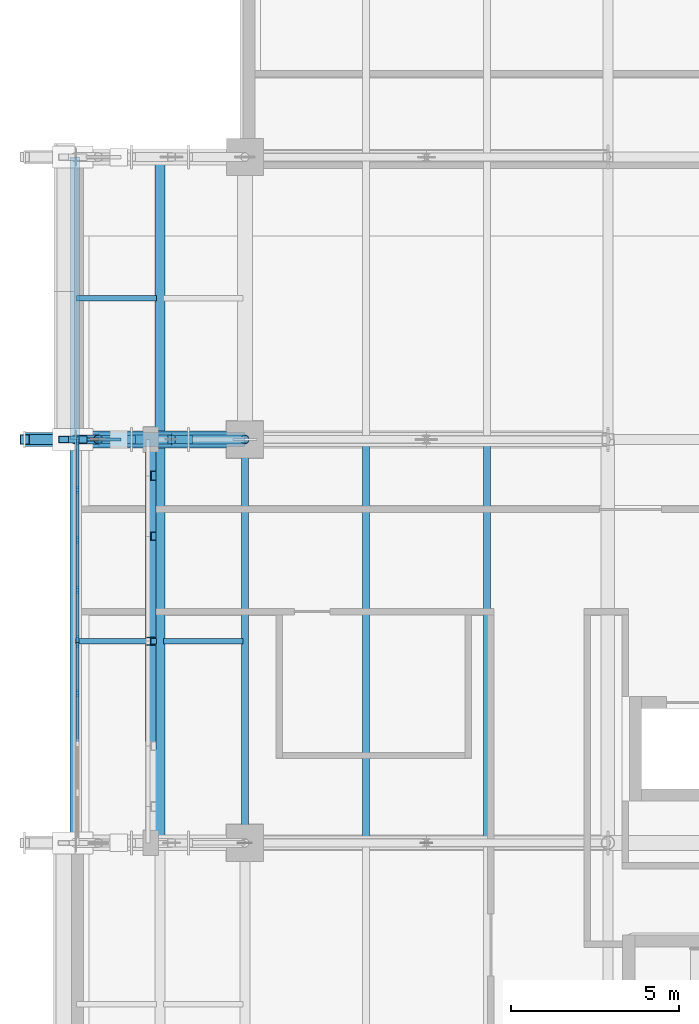
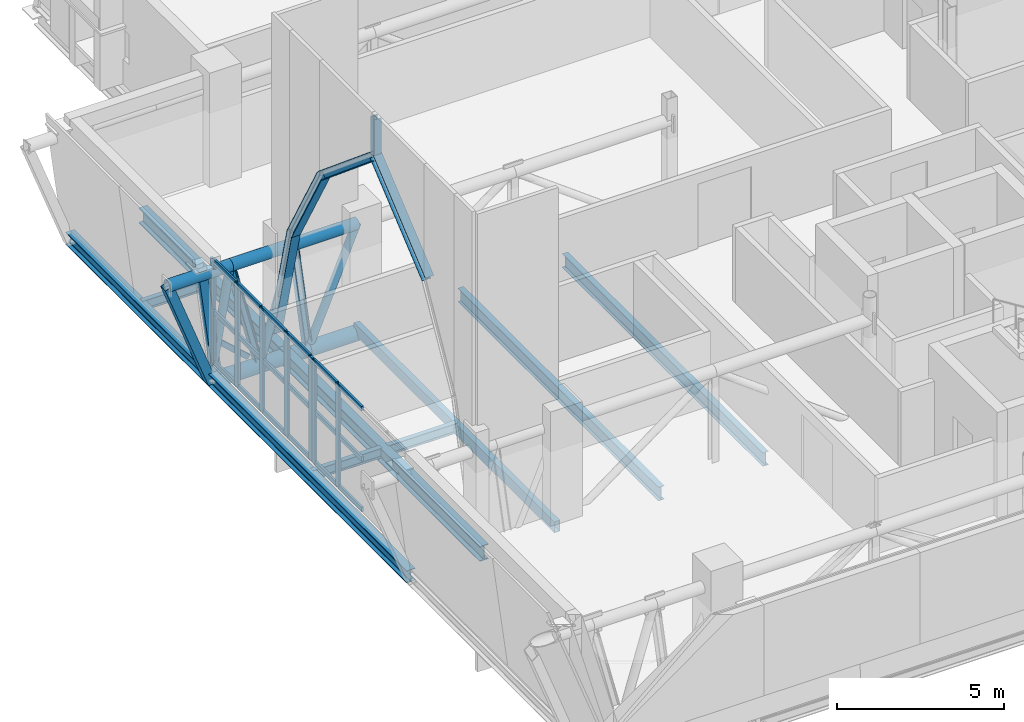
# One storey, part 21 of 90: 44 members, 10 beams, 2 elements without a shape of their own.
"""IFC4 building model written with IfcOpenShell, lengths in metres."""

from ifc_helpers import new_model, si_unit, direction, frame, origin, origin_2d, place, context, subcontext, project, spatial, rectangle, hollow_rectangle, hollow_circle, i_section, extrude, material, layer, layer_set, material_profile, profile_set, type_object, element, aggregate, save


model = new_model("IFC4")

# Units and contexts
model_context = context("Model", 3, precision=1e-05, world=origin(), true_north=direction((0.0, 1.0)))
body_context = subcontext(model_context, "Body", "Model", "MODEL_VIEW")
ifc_project = project(units=[si_unit("LENGTHUNIT", "METRE"), si_unit("AREAUNIT", "SQUARE_METRE"), si_unit("VOLUMEUNIT", "CUBIC_METRE"), si_unit("PLANEANGLEUNIT", "RADIAN"), si_unit("MASSUNIT", "GRAM", prefix="KILO")], contexts=[model_context])

# Site, building, storey
site_placement = place(None, origin())
site = spatial("IfcSite", under=ifc_project, at=site_placement, CompositionType="ELEMENT")
building_placement = place(site_placement, origin())
building = spatial("IfcBuilding", under=site, at=building_placement, Name="Zereglee Splitstone Museum", CompositionType="ELEMENT")
storey_placement = place(building_placement, frame((0.0, 0.0, 4.800048828125)))
storey = spatial("IfcBuildingStorey", under=building, at=storey_placement, Name="L01", CompositionType="ELEMENT", Elevation=4.800048828125)

# Members
ifc_material_1 = material(Name="Steel S355J2H", Category="steel")
ifc_material_profile_1 = material_profile(ifc_material_1, hollow_circle(Radius=0.136474609375, WallThickness=0.012451171875, at=origin_2d()), Name="CHS 273.0x12.5")
ifc_profile_set_1 = profile_set([ifc_material_profile_1], Name="Steel S355J2H")
member_type_1 = type_object("IfcMemberType", Name="TB-01", PredefinedType="BRACE", material=ifc_profile_set_1)
member_1_placement = place(storey_placement, frame((4.550048828125, 21.60009765625, -0.699951171875), z_axis=(0.168397696693, 0.0, 0.985719136341), x_axis=(0.0, 1.0, 0.0)))
element("IfcMember", 1, at=member_1_placement, inside=storey, type_object=member_type_1, Name="Cantilever Truss CT-03 Web Brace L01-1", PredefinedType="BRACE", context=body_context, shape_type="SweptSolid", body=[
    extrude(hollow_circle(Radius=0.136474609375, WallThickness=0.012451171875, at=origin_2d()), origin(), (0.0, 0.0, 1.0), 4.057861328125),
])
member_2_placement = place(storey_placement, frame((6.2333984375, 21.60009765625, -0.699951171875), z_axis=(0.283683776864, 0.0, 0.958917887383), x_axis=(0.0, 1.0, 0.0)))
element("IfcMember", 2, at=member_2_placement, inside=storey, type_object=member_type_1, Name="Cantilever Truss CT-03 Web Brace L01-2", PredefinedType="BRACE", context=body_context, shape_type="SweptSolid", body=[
    extrude(hollow_circle(Radius=0.136474609375, WallThickness=0.012451171875, at=origin_2d()), origin(), (0.0, 0.0, 1.0), 4.17138671875),
])
member_3_placement = place(storey_placement, frame((7.916748046875, 21.60009765625, -0.699951171875), z_axis=(0.387888488843, 0.0, 0.921706309094), x_axis=(0.0, 1.0, 0.0)))
element("IfcMember", 3, at=member_3_placement, inside=storey, type_object=member_type_1, Name="Cantilever Truss CT-03 Web Brace L01-3", PredefinedType="BRACE", context=body_context, shape_type="SweptSolid", body=[
    extrude(hollow_circle(Radius=0.136474609375, WallThickness=0.012451171875, at=origin_2d()), origin(), (0.0, 0.0, 1.0), 4.33984375),
])

# Curtain wall, members
ifc_material_2 = material(Name="Triple-glazed low-E argon glass and bronze-anodised aluminium", Category="aluminium")
ifc_layer_1 = layer(ifc_material_2, 0.219970703125)
ifc_layer_set_1 = layer_set([ifc_layer_1], Name="Triple-glazed low-E argon glass and bronze-anodised aluminium")
curtain_wall_type_1 = type_object("IfcCurtainWallType", Name="CW-0596-378", PredefinedType="USERDEFINED", material=ifc_layer_set_1)
curtain_wall_1_placement = place(storey_placement, origin())
curtain_wall_1 = element("IfcCurtainWall", 4, at=curtain_wall_1_placement, inside=storey, type_object=curtain_wall_type_1, Name="Glazed Curtain Wall CW-0596-378 (L01)", ObjectType="GLAZED CURTAIN WALL", PredefinedType="USERDEFINED")
ifc_material_3 = material(Name="Thermally broken bronze-anodised aluminium", Category="aluminium")
ifc_material_profile_2 = material_profile(ifc_material_3, rectangle(XDim=0.074951171875, YDim=0.219970703125, at=origin_2d()), Name="CW MULL 75x220")
ifc_profile_set_2 = profile_set([ifc_material_profile_2], Name="Thermally broken bronze-anodised aluminium")
member_type_2 = type_object("IfcMemberType", Name="CWM-02", PredefinedType="MULLION", material=ifc_profile_set_2)
member_4_placement = place(storey_placement, frame((4.6201171875, 21.5625, 0.0), z_axis=(0.0, 0.0, 1.0), x_axis=(1.0, 0.0, 0.0)))
member_4 = element("IfcMember", 5, at=member_4_placement, type_object=member_type_2, Name="CW-0596-378 mullion 1", PredefinedType="MULLION", context=body_context, shape_type="SweptSolid", body=[
    extrude(rectangle(XDim=0.074951171875, YDim=0.219970703125, at=origin_2d()), origin(), (0.0, 0.0, 1.0), 3.780029296875),
])
member_5_placement = place(storey_placement, frame((4.6201171875, 20.110107421875, 0.0), z_axis=(0.0, 0.0, 1.0), x_axis=(1.0, 0.0, 0.0)))
member_5 = element("IfcMember", 6, at=member_5_placement, type_object=member_type_2, Name="CW-0596-378 mullion 2", PredefinedType="MULLION", context=body_context, shape_type="SweptSolid", body=[
    extrude(rectangle(XDim=0.074951171875, YDim=0.219970703125, at=origin_2d()), origin(), (0.0, 0.0, 1.0), 3.780029296875),
])
member_6_placement = place(storey_placement, frame((4.6201171875, 18.6201171875, 0.0), z_axis=(0.0, 0.0, 1.0), x_axis=(1.0, 0.0, 0.0)))
member_6 = element("IfcMember", 7, at=member_6_placement, type_object=member_type_2, Name="CW-0596-378 mullion 3", PredefinedType="MULLION", context=body_context, shape_type="SweptSolid", body=[
    extrude(rectangle(XDim=0.074951171875, YDim=0.219970703125, at=origin_2d()), origin(), (0.0, 0.0, 1.0), 3.780029296875),
])
member_7_placement = place(storey_placement, frame((4.6201171875, 17.1298828125, 0.0), z_axis=(0.0, 0.0, 1.0), x_axis=(1.0, 0.0, 0.0)))
member_7 = element("IfcMember", 8, at=member_7_placement, type_object=member_type_2, Name="CW-0596-378 mullion 4", PredefinedType="MULLION", context=body_context, shape_type="SweptSolid", body=[
    extrude(rectangle(XDim=0.074951171875, YDim=0.219970703125, at=origin_2d()), origin(), (0.0, 0.0, 1.0), 3.780029296875),
])
member_8_placement = place(storey_placement, frame((4.6201171875, 15.677490234375, 0.0), z_axis=(0.0, 0.0, 1.0), x_axis=(1.0, 0.0, 0.0)))
member_8 = element("IfcMember", 9, at=member_8_placement, type_object=member_type_2, Name="CW-0596-378 mullion 5", PredefinedType="MULLION", context=body_context, shape_type="SweptSolid", body=[
    extrude(rectangle(XDim=0.074951171875, YDim=0.219970703125, at=origin_2d()), origin(), (0.0, 0.0, 1.0), 3.780029296875),
])

ifc_layer_2 = layer(ifc_material_2, 0.219970703125)
ifc_layer_set_2 = layer_set([ifc_layer_2], Name="Triple-glazed low-E argon glass and bronze-anodised aluminium")
curtain_wall_type_2 = type_object("IfcCurtainWallType", Name="CW-0596-376", PredefinedType="USERDEFINED", material=ifc_layer_set_2)
curtain_wall_2_placement = place(storey_placement, origin())
curtain_wall_2 = element("IfcCurtainWall", 10, at=curtain_wall_2_placement, inside=storey, type_object=curtain_wall_type_2, Name="Glazed Curtain Wall CW-0596-376 (L01)", ObjectType="GLAZED CURTAIN WALL", PredefinedType="USERDEFINED")
member_9_placement = place(storey_placement, frame((4.6201171875, 15.5224609375, 0.0), z_axis=(0.0, 0.0, 1.0), x_axis=(1.0, 0.0, 0.0)))
member_9 = element("IfcMember", 11, at=member_9_placement, type_object=member_type_2, Name="CW-0596-376 mullion 1", PredefinedType="MULLION", context=body_context, shape_type="SweptSolid", body=[
    extrude(rectangle(XDim=0.074951171875, YDim=0.219970703125, at=origin_2d()), origin(), (0.0, 0.0, 1.0), 3.760009765625),
])
member_10_placement = place(storey_placement, frame((4.6201171875, 14.070068359375, 0.0), z_axis=(0.0, 0.0, 1.0), x_axis=(1.0, 0.0, 0.0)))
member_10 = element("IfcMember", 12, at=member_10_placement, type_object=member_type_2, Name="CW-0596-376 mullion 2", PredefinedType="MULLION", context=body_context, shape_type="SweptSolid", body=[
    extrude(rectangle(XDim=0.074951171875, YDim=0.219970703125, at=origin_2d()), origin(), (0.0, 0.0, 1.0), 3.760009765625),
])

# Member
ifc_material_profile_3 = material_profile(ifc_material_3, rectangle(XDim=0.074951171875, YDim=0.1650390625, at=origin_2d()), Name="CW TRAN 75x165")
ifc_profile_set_3 = profile_set([ifc_material_profile_3], Name="Thermally broken bronze-anodised aluminium")
member_type_3 = type_object("IfcMemberType", Name="CWT-02", PredefinedType="USERDEFINED", material=ifc_profile_set_3)
member_11_placement = place(storey_placement, frame((4.6201171875, 21.52490234375, 0.037353515625), z_axis=(0.0, -1.0, 0.0), x_axis=(1.0, 0.0, 0.0)))
member_11 = element("IfcMember", 13, at=member_11_placement, type_object=member_type_3, Name="CW-0596-378 transom 1.1", ObjectType="TRANSOM", PredefinedType="USERDEFINED", context=body_context, shape_type="SweptSolid", body=[
    extrude(rectangle(XDim=0.074951171875, YDim=0.1650390625, at=origin_2d()), origin(), (0.0, 0.0, 1.0), 1.37744140625),
])

member_12_placement = place(storey_placement, frame((4.6201171875, 21.52490234375, 1.889892578125), z_axis=(0.0, -1.0, 0.0), x_axis=(1.0, 0.0, 0.0)))
member_12 = element("IfcMember", 14, at=member_12_placement, type_object=member_type_3, Name="CW-0596-378 transom 1.2", ObjectType="TRANSOM", PredefinedType="USERDEFINED", context=body_context, shape_type="SweptSolid", body=[
    extrude(rectangle(XDim=0.074951171875, YDim=0.1650390625, at=origin_2d()), origin(), (0.0, 0.0, 1.0), 1.37744140625),
])

member_13_placement = place(storey_placement, frame((4.6201171875, 21.52490234375, 3.742431640625), z_axis=(0.0, -1.0, 0.0), x_axis=(1.0, 0.0, 0.0)))
member_13 = element("IfcMember", 15, at=member_13_placement, type_object=member_type_3, Name="CW-0596-378 transom 1.3", ObjectType="TRANSOM", PredefinedType="USERDEFINED", context=body_context, shape_type="SweptSolid", body=[
    extrude(rectangle(XDim=0.074951171875, YDim=0.1650390625, at=origin_2d()), origin(), (0.0, 0.0, 1.0), 1.37744140625),
])

member_14_placement = place(storey_placement, frame((4.6201171875, 20.072509765625, 0.037353515625), z_axis=(0.0, -1.0, 0.0), x_axis=(1.0, 0.0, 0.0)))
member_14 = element("IfcMember", 16, at=member_14_placement, type_object=member_type_3, Name="CW-0596-378 transom 2.1", ObjectType="TRANSOM", PredefinedType="USERDEFINED", context=body_context, shape_type="SweptSolid", body=[
    extrude(rectangle(XDim=0.074951171875, YDim=0.1650390625, at=origin_2d()), origin(), (0.0, 0.0, 1.0), 1.4150390625),
])

member_15_placement = place(storey_placement, frame((4.6201171875, 20.072509765625, 1.889892578125), z_axis=(0.0, -1.0, 0.0), x_axis=(1.0, 0.0, 0.0)))
member_15 = element("IfcMember", 17, at=member_15_placement, type_object=member_type_3, Name="CW-0596-378 transom 2.2", ObjectType="TRANSOM", PredefinedType="USERDEFINED", context=body_context, shape_type="SweptSolid", body=[
    extrude(rectangle(XDim=0.074951171875, YDim=0.1650390625, at=origin_2d()), origin(), (0.0, 0.0, 1.0), 1.4150390625),
])

member_16_placement = place(storey_placement, frame((4.6201171875, 20.072509765625, 3.742431640625), z_axis=(0.0, -1.0, 0.0), x_axis=(1.0, 0.0, 0.0)))
member_16 = element("IfcMember", 18, at=member_16_placement, type_object=member_type_3, Name="CW-0596-378 transom 2.3", ObjectType="TRANSOM", PredefinedType="USERDEFINED", context=body_context, shape_type="SweptSolid", body=[
    extrude(rectangle(XDim=0.074951171875, YDim=0.1650390625, at=origin_2d()), origin(), (0.0, 0.0, 1.0), 1.4150390625),
])

member_17_placement = place(storey_placement, frame((4.6201171875, 18.58251953125, 0.037353515625), z_axis=(0.0, -1.0, 0.0), x_axis=(1.0, 0.0, 0.0)))
member_17 = element("IfcMember", 19, at=member_17_placement, type_object=member_type_3, Name="CW-0596-378 transom 3.1", ObjectType="TRANSOM", PredefinedType="USERDEFINED", context=body_context, shape_type="SweptSolid", body=[
    extrude(rectangle(XDim=0.074951171875, YDim=0.1650390625, at=origin_2d()), origin(), (0.0, 0.0, 1.0), 1.4150390625),
])

member_18_placement = place(storey_placement, frame((4.6201171875, 18.58251953125, 1.889892578125), z_axis=(0.0, -1.0, 0.0), x_axis=(1.0, 0.0, 0.0)))
member_18 = element("IfcMember", 20, at=member_18_placement, type_object=member_type_3, Name="CW-0596-378 transom 3.2", ObjectType="TRANSOM", PredefinedType="USERDEFINED", context=body_context, shape_type="SweptSolid", body=[
    extrude(rectangle(XDim=0.074951171875, YDim=0.1650390625, at=origin_2d()), origin(), (0.0, 0.0, 1.0), 1.4150390625),
])

member_19_placement = place(storey_placement, frame((4.6201171875, 18.58251953125, 3.742431640625), z_axis=(0.0, -1.0, 0.0), x_axis=(1.0, 0.0, 0.0)))
member_19 = element("IfcMember", 21, at=member_19_placement, type_object=member_type_3, Name="CW-0596-378 transom 3.3", ObjectType="TRANSOM", PredefinedType="USERDEFINED", context=body_context, shape_type="SweptSolid", body=[
    extrude(rectangle(XDim=0.074951171875, YDim=0.1650390625, at=origin_2d()), origin(), (0.0, 0.0, 1.0), 1.4150390625),
])

member_20_placement = place(storey_placement, frame((4.6201171875, 17.092529296875, 0.037353515625), z_axis=(0.0, -1.0, 0.0), x_axis=(1.0, 0.0, 0.0)))
member_20 = element("IfcMember", 22, at=member_20_placement, type_object=member_type_3, Name="CW-0596-378 transom 4.1", ObjectType="TRANSOM", PredefinedType="USERDEFINED", context=body_context, shape_type="SweptSolid", body=[
    extrude(rectangle(XDim=0.074951171875, YDim=0.1650390625, at=origin_2d()), origin(), (0.0, 0.0, 1.0), 1.37744140625),
])

member_21_placement = place(storey_placement, frame((4.6201171875, 17.092529296875, 1.889892578125), z_axis=(0.0, -1.0, 0.0), x_axis=(1.0, 0.0, 0.0)))
member_21 = element("IfcMember", 23, at=member_21_placement, type_object=member_type_3, Name="CW-0596-378 transom 4.2", ObjectType="TRANSOM", PredefinedType="USERDEFINED", context=body_context, shape_type="SweptSolid", body=[
    extrude(rectangle(XDim=0.074951171875, YDim=0.1650390625, at=origin_2d()), origin(), (0.0, 0.0, 1.0), 1.37744140625),
])

member_22_placement = place(storey_placement, frame((4.6201171875, 17.092529296875, 3.742431640625), z_axis=(0.0, -1.0, 0.0), x_axis=(1.0, 0.0, 0.0)))
member_22 = element("IfcMember", 24, at=member_22_placement, type_object=member_type_3, Name="CW-0596-378 transom 4.3", ObjectType="TRANSOM", PredefinedType="USERDEFINED", context=body_context, shape_type="SweptSolid", body=[
    extrude(rectangle(XDim=0.074951171875, YDim=0.1650390625, at=origin_2d()), origin(), (0.0, 0.0, 1.0), 1.37744140625),
])

aggregate(curtain_wall_1, [member_4, member_5, member_6, member_7, member_8, member_11, member_12, member_13, member_14, member_15, member_16, member_17, member_18, member_19, member_20, member_21, member_22])

member_23_placement = place(storey_placement, frame((4.6201171875, 15.485107421875, 0.037353515625), z_axis=(0.0, -1.0, 0.0), x_axis=(1.0, 0.0, 0.0)))
member_23 = element("IfcMember", 25, at=member_23_placement, type_object=member_type_3, Name="CW-0596-376 transom 1.1", ObjectType="TRANSOM", PredefinedType="USERDEFINED", context=body_context, shape_type="SweptSolid", body=[
    extrude(rectangle(XDim=0.074951171875, YDim=0.1650390625, at=origin_2d()), origin(), (0.0, 0.0, 1.0), 1.377685546875),
])

member_24_placement = place(storey_placement, frame((4.6201171875, 15.485107421875, 1.8798828125), z_axis=(0.0, -1.0, 0.0), x_axis=(1.0, 0.0, 0.0)))
member_24 = element("IfcMember", 26, at=member_24_placement, type_object=member_type_3, Name="CW-0596-376 transom 1.2", ObjectType="TRANSOM", PredefinedType="USERDEFINED", context=body_context, shape_type="SweptSolid", body=[
    extrude(rectangle(XDim=0.074951171875, YDim=0.1650390625, at=origin_2d()), origin(), (0.0, 0.0, 1.0), 1.377685546875),
])

member_25_placement = place(storey_placement, frame((4.6201171875, 15.485107421875, 3.722412109375), z_axis=(0.0, -1.0, 0.0), x_axis=(1.0, 0.0, 0.0)))
member_25 = element("IfcMember", 27, at=member_25_placement, type_object=member_type_3, Name="CW-0596-376 transom 1.3", ObjectType="TRANSOM", PredefinedType="USERDEFINED", context=body_context, shape_type="SweptSolid", body=[
    extrude(rectangle(XDim=0.074951171875, YDim=0.1650390625, at=origin_2d()), origin(), (0.0, 0.0, 1.0), 1.377685546875),
])

member_26_placement = place(storey_placement, frame((4.6201171875, 14.032470703125, 0.037353515625), z_axis=(0.0, -1.0, 0.0), x_axis=(1.0, 0.0, 0.0)))
member_26 = element("IfcMember", 28, at=member_26_placement, type_object=member_type_3, Name="CW-0596-376 transom 2.1", ObjectType="TRANSOM", PredefinedType="USERDEFINED", context=body_context, shape_type="SweptSolid", body=[
    extrude(rectangle(XDim=0.074951171875, YDim=0.1650390625, at=origin_2d()), origin(), (0.0, 0.0, 1.0), 1.4150390625),
])

member_27_placement = place(storey_placement, frame((4.6201171875, 14.032470703125, 1.8798828125), z_axis=(0.0, -1.0, 0.0), x_axis=(1.0, 0.0, 0.0)))
member_27 = element("IfcMember", 29, at=member_27_placement, type_object=member_type_3, Name="CW-0596-376 transom 2.2", ObjectType="TRANSOM", PredefinedType="USERDEFINED", context=body_context, shape_type="SweptSolid", body=[
    extrude(rectangle(XDim=0.074951171875, YDim=0.1650390625, at=origin_2d()), origin(), (0.0, 0.0, 1.0), 1.4150390625),
])

member_28_placement = place(storey_placement, frame((4.6201171875, 14.032470703125, 3.722412109375), z_axis=(0.0, -1.0, 0.0), x_axis=(1.0, 0.0, 0.0)))
member_28 = element("IfcMember", 30, at=member_28_placement, type_object=member_type_3, Name="CW-0596-376 transom 2.3", ObjectType="TRANSOM", PredefinedType="USERDEFINED", context=body_context, shape_type="SweptSolid", body=[
    extrude(rectangle(XDim=0.074951171875, YDim=0.1650390625, at=origin_2d()), origin(), (0.0, 0.0, 1.0), 1.4150390625),
])

aggregate(curtain_wall_2, [member_9, member_10, member_23, member_24, member_25, member_26, member_27, member_28])

# Members
ifc_material_4 = material(Name="Steel S355J2", Category="steel")
ifc_material_profile_4 = material_profile(ifc_material_4, i_section(OverallWidth=0.300048828125, OverallDepth=0.300048828125, WebThickness=0.010986328125, FlangeThickness=0.01904296875, FilletRadius=0.027099609375, at=origin_2d()), Name="HE 300 B")
ifc_profile_set_4 = profile_set([ifc_material_profile_4], Name="Steel S355J2")
member_type_4 = type_object("IfcMemberType", Name="TC-08", PredefinedType="CHORD", material=ifc_profile_set_4)
member_29_placement = place(storey_placement, frame((6.800048828125, 12.47998046875, 7.800048828125), z_axis=(0.0, 0.768250842807, 0.640148922148), x_axis=(-1.0, 0.0, 0.0)))
element("IfcMember", 31, at=member_29_placement, inside=storey, type_object=member_type_4, Name="Mughal Four-Centred Pointed Arch Rib PSQ-WEST-1-3", PredefinedType="CHORD", context=body_context, shape_type="SweptSolid", body=[
    extrude(i_section(OverallWidth=0.300048828125, OverallDepth=0.300048828125, WebThickness=0.010986328125, FlangeThickness=0.01904296875, FilletRadius=0.027099609375, at=origin_2d()), origin(), (0.0, 0.0, 1.0), 4.061279296875),
])
member_30_placement = place(storey_placement, frame((6.800048828125, 15.60009765625, 10.39990234375), z_axis=(0.0, 0.76822620714, -0.640178486567), x_axis=(-1.0, 0.0, 0.0)))
element("IfcMember", 32, at=member_30_placement, inside=storey, type_object=member_type_4, Name="Mughal Four-Centred Pointed Arch Rib PSQ-WEST-1-4", PredefinedType="CHORD", context=body_context, shape_type="SweptSolid", body=[
    extrude(i_section(OverallWidth=0.300048828125, OverallDepth=0.300048828125, WebThickness=0.010986328125, FlangeThickness=0.01904296875, FilletRadius=0.027099609375, at=origin_2d()), origin(), (0.0, 0.0, 1.0), 4.06103515625),
])
member_31_placement = place(storey_placement, frame((6.800048828125, 18.719970703125, 7.800048828125), z_axis=(0.0, 0.490248611941, -0.871582640081), x_axis=(-1.0, 0.0, 0.0)))
element("IfcMember", 33, at=member_31_placement, inside=storey, type_object=member_type_4, Name="Mughal Four-Centred Pointed Arch Rib PSQ-WEST-1-5", PredefinedType="CHORD", context=body_context, shape_type="SweptSolid", body=[
    extrude(i_section(OverallWidth=0.300048828125, OverallDepth=0.300048828125, WebThickness=0.010986328125, FlangeThickness=0.01904296875, FilletRadius=0.027099609375, at=origin_2d()), origin(), (0.0, 0.0, 1.0), 3.671630859375),
])
member_32_placement = place(storey_placement, frame((6.800048828125, 20.52001953125, 4.599853515625), z_axis=(0.0, 0.249060653401, -0.968487888891), x_axis=(-1.0, 0.0, 0.0)))
element("IfcMember", 34, at=member_32_placement, inside=storey, type_object=member_type_4, Name="Mughal Four-Centred Pointed Arch Rib PSQ-WEST-1-6", PredefinedType="CHORD", context=body_context, shape_type="SweptSolid", body=[
    extrude(i_section(OverallWidth=0.300048828125, OverallDepth=0.300048828125, WebThickness=0.010986328125, FlangeThickness=0.01904296875, FilletRadius=0.027099609375, at=origin_2d()), origin(), (0.0, 0.0, 1.0), 4.336669921875),
])
ifc_material_profile_5 = material_profile(ifc_material_1, hollow_circle(Radius=0.203125, WallThickness=0.02001953125, at=origin_2d()), Name="CHS 406.4x20")
ifc_profile_set_5 = profile_set([ifc_material_profile_5], Name="Steel S355J2H")
member_type_5 = type_object("IfcMemberType", Name="TC-03", PredefinedType="CHORD", material=ifc_profile_set_5)
for number, where, z_axis, x_axis, name in (
    (35, (3.050048828125, 21.60009765625, 3.300048828125), (1.0, 0.0, 0.0), (0.0, 1.0, 0.0), "Cantilever Truss CT-03 Top Chord L01-1"),
    (36, (5.2333984375, 21.60009765625, 3.300048828125), (1.0, 0.0, 0.0), (0.0, 1.0, 0.0), "Cantilever Truss CT-03 Top Chord L01-2"),
    (37, (7.416748046875, 21.60009765625, 3.300048828125), (1.0, 0.0, 0.0), (0.0, 1.0, 0.0), "Cantilever Truss CT-03 Top Chord L01-3"),
):
    element("IfcMember", number, at=place(storey_placement, frame(where, z_axis=z_axis, x_axis=x_axis)), inside=storey, type_object=member_type_5, Name=name, PredefinedType="CHORD", context=body_context, shape_type="SweptSolid", body=[
        extrude(hollow_circle(Radius=0.203125, WallThickness=0.02001953125, at=origin_2d()), origin(), (0.0, 0.0, 1.0), 2.183349609375),
    ])
ifc_material_profile_6 = material_profile(ifc_material_1, hollow_circle(Radius=0.25390625, WallThickness=0.02490234375, at=origin_2d()), Name="CHS 508.0x25")
ifc_profile_set_6 = profile_set([ifc_material_profile_6], Name="Steel S355J2H")
member_type_6 = type_object("IfcMemberType", Name="TC-01", PredefinedType="CHORD", material=ifc_profile_set_6)
for number, where, z_axis, x_axis, name in (
    (38, (4.550048828125, 21.60009765625, -0.699951171875), (1.0, 0.0, 0.0), (0.0, 1.0, 0.0), "Cantilever Truss CT-03 Bottom Chord 1"),
    (39, (6.2333984375, 21.60009765625, -0.699951171875), (1.0, 0.0, 0.0), (0.0, 1.0, 0.0), "Cantilever Truss CT-03 Bottom Chord 2"),
    (40, (7.916748046875, 21.60009765625, -0.699951171875), (1.0, 0.0, 0.0), (0.0, 1.0, 0.0), "Cantilever Truss CT-03 Bottom Chord 3"),
):
    element("IfcMember", number, at=place(storey_placement, frame(where, z_axis=z_axis, x_axis=x_axis)), inside=storey, type_object=member_type_6, Name=name, PredefinedType="CHORD", context=body_context, shape_type="SweptSolid", body=[
        extrude(hollow_circle(Radius=0.25390625, WallThickness=0.02490234375, at=origin_2d()), origin(), (0.0, 0.0, 1.0), 1.683349609375),
    ])

# Beams
ifc_material_profile_7 = material_profile(ifc_material_4, i_section(OverallWidth=0.300048828125, OverallDepth=0.550048828125, WebThickness=0.014892578125, FlangeThickness=0.029052734375, FilletRadius=0.027099609375, at=origin_2d()), Name="HE 550 B")
ifc_profile_set_7 = profile_set([ifc_material_profile_7], Name="Steel S355J2")
beam_type_1 = type_object("IfcBeamType", Name="BG-11", PredefinedType="BEAM", material=ifc_profile_set_7)
beam_1_placement = place(storey_placement, frame((7.074951171875, 9.60009765625, -0.574951171875), z_axis=(0.0, 1.0, 0.0), x_axis=(-1.0, 0.0, 0.0)))
element("IfcBeam", 41, at=beam_1_placement, inside=storey, type_object=beam_type_1, Name="Cantilever Transverse Girder L01 X=7.08", PredefinedType="BEAM", context=body_context, shape_type="SweptSolid", body=[
    extrude(i_section(OverallWidth=0.300048828125, OverallDepth=0.550048828125, WebThickness=0.014892578125, FlangeThickness=0.029052734375, FilletRadius=0.027099609375, at=origin_2d()), origin(), (0.0, 0.0, 1.0), 12.0),
])
beam_2_placement = place(storey_placement, frame((7.074951171875, 21.60009765625, -0.574951171875), z_axis=(0.0, 1.0, 0.0), x_axis=(-1.0, 0.0, 0.0)))
element("IfcBeam", 42, at=beam_2_placement, inside=storey, type_object=beam_type_1, Name="Cantilever Transverse Girder L01 X=7.08", PredefinedType="BEAM", context=body_context, shape_type="SweptSolid", body=[
    extrude(i_section(OverallWidth=0.300048828125, OverallDepth=0.550048828125, WebThickness=0.014892578125, FlangeThickness=0.029052734375, FilletRadius=0.027099609375, at=origin_2d()), origin(), (0.0, 0.0, 1.0), 8.39990234375),
])
ifc_material_profile_8 = material_profile(ifc_material_4, i_section(OverallWidth=0.169921875, OverallDepth=0.360107421875, WebThickness=0.008056640625, FlangeThickness=0.0126953125, FilletRadius=0.01806640625, at=origin_2d()), Name="IPE 360")
ifc_profile_set_8 = profile_set([ifc_material_profile_8], Name="Steel S355J2")
beam_type_2 = type_object("IfcBeamType", Name="BJ-04", PredefinedType="JOIST", material=ifc_profile_set_8)
beam_3_placement = place(storey_placement, frame((4.590087890625, 15.60009765625, -0.47998046875), z_axis=(1.0, 0.0, 0.0), x_axis=(0.0, 1.0, 0.0)))
element("IfcBeam", 43, at=beam_3_placement, inside=storey, type_object=beam_type_2, Name="Cantilever Floor Joist L01-1602", PredefinedType="JOIST", context=body_context, shape_type="SweptSolid", body=[
    extrude(i_section(OverallWidth=0.169921875, OverallDepth=0.360107421875, WebThickness=0.008056640625, FlangeThickness=0.0126953125, FilletRadius=0.01806640625, at=origin_2d()), origin(), (0.0, 0.0, 1.0), 2.385009765625),
])
beam_4_placement = place(storey_placement, frame((7.175048828125, 15.60009765625, -0.47998046875), z_axis=(1.0, 0.0, 0.0), x_axis=(0.0, 1.0, 0.0)))
element("IfcBeam", 44, at=beam_4_placement, inside=storey, type_object=beam_type_2, Name="Cantilever Floor Joist L01-1603", PredefinedType="JOIST", context=body_context, shape_type="SweptSolid", body=[
    extrude(i_section(OverallWidth=0.169921875, OverallDepth=0.360107421875, WebThickness=0.008056640625, FlangeThickness=0.0126953125, FilletRadius=0.01806640625, at=origin_2d()), origin(), (0.0, 0.0, 1.0), 2.375),
])
beam_5_placement = place(storey_placement, frame((4.590087890625, 25.800048828125, -0.47998046875), z_axis=(1.0, 0.0, 0.0), x_axis=(0.0, 1.0, 0.0)))
element("IfcBeam", 45, at=beam_5_placement, inside=storey, type_object=beam_type_2, Name="Cantilever Floor Joist L01-1604", PredefinedType="JOIST", context=body_context, shape_type="SweptSolid", body=[
    extrude(i_section(OverallWidth=0.169921875, OverallDepth=0.360107421875, WebThickness=0.008056640625, FlangeThickness=0.0126953125, FilletRadius=0.01806640625, at=origin_2d()), origin(), (0.0, 0.0, 1.0), 2.385009765625),
])
ifc_material_profile_9 = material_profile(ifc_material_4, i_section(OverallWidth=0.199951171875, OverallDepth=0.5, WebThickness=0.01025390625, FlangeThickness=0.01611328125, FilletRadius=0.02099609375, at=origin_2d()), Name="IPE 500")
ifc_profile_set_9 = profile_set([ifc_material_profile_9], Name="Steel S355J2")
beam_type_3 = type_object("IfcBeamType", Name="BJ-01", PredefinedType="JOIST", material=ifc_profile_set_9)
for number, where, z_axis, x_axis, name in (
    (46, (13.199951171875, 9.60009765625, -0.550048828125), (0.0, 1.0, 0.0), (-1.0, 0.0, 0.0), "Secondary Floor Joist L01-0702"),
    (47, (16.800048828125, 9.60009765625, -0.550048828125), (0.0, 1.0, 0.0), (-1.0, 0.0, 0.0), "Secondary Floor Joist L01-0703"),
):
    element("IfcBeam", number, at=place(storey_placement, frame(where, z_axis=z_axis, x_axis=x_axis)), inside=storey, type_object=beam_type_3, Name=name, PredefinedType="JOIST", context=body_context, shape_type="SweptSolid", body=[
        extrude(i_section(OverallWidth=0.199951171875, OverallDepth=0.5, WebThickness=0.01025390625, FlangeThickness=0.01611328125, FilletRadius=0.02099609375, at=origin_2d()), origin(), (0.0, 0.0, 1.0), 12.0),
    ])

# Members
ifc_material_profile_10 = material_profile(ifc_material_4, i_section(OverallWidth=0.239990234375, OverallDepth=0.239990234375, WebThickness=0.010009765625, FlangeThickness=0.01708984375, FilletRadius=0.02099609375, at=origin_2d()), Name="HE 240 B")
ifc_profile_set_10 = profile_set([ifc_material_profile_10], Name="Steel S355J2")
member_type_7 = type_object("IfcMemberType", Name="TP-02", PredefinedType="POST", material=ifc_profile_set_10)
member_33_placement = place(storey_placement, frame((6.2333984375, 21.60009765625, -0.699951171875), z_axis=(-0.242535625036, 0.0, 0.970142500145), x_axis=(0.0, -1.0, 0.0)))
element("IfcMember", 48, at=member_33_placement, inside=storey, type_object=member_type_7, Name="Cantilever Truss CT-03 Post L01-2", PredefinedType="POST", context=body_context, shape_type="SweptSolid", body=[
    extrude(i_section(OverallWidth=0.239990234375, OverallDepth=0.239990234375, WebThickness=0.010009765625, FlangeThickness=0.01708984375, FilletRadius=0.02099609375, at=origin_2d()), origin(), (0.0, 0.0, 1.0), 4.123046875),
])
member_34_placement = place(storey_placement, frame((7.916748046875, 21.60009765625, -0.699951171875), z_axis=(-0.124034734589, 0.0, 0.992277876714), x_axis=(0.0, -1.0, 0.0)))
element("IfcMember", 49, at=member_34_placement, inside=storey, type_object=member_type_7, Name="Cantilever Truss CT-03 Post L01-3", PredefinedType="POST", context=body_context, shape_type="SweptSolid", body=[
    extrude(i_section(OverallWidth=0.239990234375, OverallDepth=0.239990234375, WebThickness=0.010009765625, FlangeThickness=0.01708984375, FilletRadius=0.02099609375, at=origin_2d()), origin(), (0.0, 0.0, 1.0), 4.03125),
])
member_35_placement = place(storey_placement, frame((6.800048828125, 15.60009765625, 10.39990234375), z_axis=(0.0, 0.0, 1.0), x_axis=(1.0, 0.0, 0.0)))
element("IfcMember", 50, at=member_35_placement, inside=storey, type_object=member_type_7, Name="Mughal Pishtaq Crown King-Post PSQ-WEST-1", PredefinedType="POST", context=body_context, shape_type="SweptSolid", body=[
    extrude(i_section(OverallWidth=0.239990234375, OverallDepth=0.239990234375, WebThickness=0.010009765625, FlangeThickness=0.01708984375, FilletRadius=0.02099609375, at=origin_2d()), origin(), (0.0, 0.0, 1.0), 1.39501953125),
])
ifc_material_profile_11 = material_profile(ifc_material_1, hollow_rectangle(XDim=0.300048828125, YDim=0.300048828125, WallThickness=0.01611328125, at=origin_2d()), Name="SHS 300x300x16")
ifc_profile_set_11 = profile_set([ifc_material_profile_11], Name="Steel S355J2H")
member_type_8 = type_object("IfcMemberType", Name="TP-01", PredefinedType="POST", material=ifc_profile_set_11)
member_36_placement = place(storey_placement, frame((4.550048828125, 21.60009765625, -0.699951171875), z_axis=(-0.351123441588, 0.0, 0.936329177569), x_axis=(0.0, -1.0, 0.0)))
element("IfcMember", 51, at=member_36_placement, inside=storey, type_object=member_type_8, Name="Cantilever Truss CT-03 Post L01-1", PredefinedType="POST", context=body_context, shape_type="SweptSolid", body=[
    extrude(hollow_rectangle(XDim=0.300048828125, YDim=0.300048828125, WallThickness=0.01611328125, at=origin_2d()), origin(), (0.0, 0.0, 1.0), 4.27197265625),
])

# Beams
ifc_material_profile_12 = material_profile(ifc_material_4, i_section(OverallWidth=0.300048828125, OverallDepth=0.449951171875, WebThickness=0.013916015625, FlangeThickness=0.02587890625, FilletRadius=0.027099609375, at=origin_2d()), Name="HE 450 B")
ifc_profile_set_12 = profile_set([ifc_material_profile_12], Name="Steel S355J2")
beam_type_4 = type_object("IfcBeamType", Name="SP-02", PredefinedType="SPANDREL", material=ifc_profile_set_12)
beam_6_placement = place(storey_placement, frame((4.550048828125, 9.60009765625, -0.525146484375), z_axis=(0.0, 1.0, 0.0), x_axis=(-1.0, 0.0, 0.0)))
element("IfcBeam", 52, at=beam_6_placement, inside=storey, type_object=beam_type_4, Name="Cantilever Transverse Girder L01 X=4.55", PredefinedType="SPANDREL", context=body_context, shape_type="SweptSolid", body=[
    extrude(i_section(OverallWidth=0.300048828125, OverallDepth=0.449951171875, WebThickness=0.013916015625, FlangeThickness=0.02587890625, FilletRadius=0.027099609375, at=origin_2d()), origin(), (0.0, 0.0, 1.0), 12.0),
])
beam_7_placement = place(storey_placement, frame((4.550048828125, 21.60009765625, -0.525146484375), z_axis=(0.0, 1.0, 0.0), x_axis=(-1.0, 0.0, 0.0)))
element("IfcBeam", 53, at=beam_7_placement, inside=storey, type_object=beam_type_4, Name="Cantilever Transverse Girder L01 X=4.55", PredefinedType="SPANDREL", context=body_context, shape_type="SweptSolid", body=[
    extrude(i_section(OverallWidth=0.300048828125, OverallDepth=0.449951171875, WebThickness=0.013916015625, FlangeThickness=0.02587890625, FilletRadius=0.027099609375, at=origin_2d()), origin(), (0.0, 0.0, 1.0), 8.39990234375),
])
ifc_material_profile_13 = material_profile(ifc_material_1, hollow_rectangle(XDim=0.199951171875, YDim=0.39990234375, WallThickness=0.01611328125, at=origin_2d()), Name="RHS 400x200x16")
ifc_profile_set_13 = profile_set([ifc_material_profile_13], Name="Steel S355J2H")
beam_type_5 = type_object("IfcBeamType", Name="SP-04", PredefinedType="SPANDREL", material=ifc_profile_set_13)
beam_8_placement = place(storey_placement, frame((9.60009765625, 9.60009765625, -0.5), z_axis=(0.0, 1.0, 0.0), x_axis=(-1.0, 0.0, 0.0)))
element("IfcBeam", 54, at=beam_8_placement, inside=storey, type_object=beam_type_5, Name="Primary Girder L01 2 (9.6-21.6)", PredefinedType="SPANDREL", context=body_context, shape_type="SweptSolid", body=[
    extrude(hollow_rectangle(XDim=0.199951171875, YDim=0.39990234375, WallThickness=0.01611328125, at=origin_2d()), origin(), (0.0, 0.0, 1.0), 12.0),
])

# Members
ifc_material_profile_14 = material_profile(ifc_material_1, hollow_rectangle(XDim=0.199951171875, YDim=0.300048828125, WallThickness=0.012451171875, at=origin_2d()), Name="RHS 300x200x12.5")
ifc_profile_set_14 = profile_set([ifc_material_profile_14], Name="Steel S355J2H")
member_type_9 = type_object("IfcMemberType", Name="FS-R1", PredefinedType="STRUT", material=ifc_profile_set_14)
member_37_placement = place(storey_placement, frame((4.751708984375, 21.60009765625, -0.550048828125), z_axis=(-0.128360970169, 0.0, 0.991727513654), x_axis=(0.0, -1.0, 0.0)))
element("IfcMember", 55, at=member_37_placement, inside=storey, type_object=member_type_9, Name="Split-Rock Continuous Facet Strut FH-V1W-N L01-01", PredefinedType="STRUT", context=body_context, shape_type="SweptSolid", body=[
    extrude(hollow_rectangle(XDim=0.199951171875, YDim=0.300048828125, WallThickness=0.012451171875, at=origin_2d()), origin(), (0.0, 0.0, 1.0), 4.21484375),
])
ifc_material_profile_15 = material_profile(ifc_material_1, hollow_rectangle(XDim=0.10009765625, YDim=0.179931640625, WallThickness=0.008056640625, at=origin_2d()), Name="RHS 180x100x8")
ifc_profile_set_15 = profile_set([ifc_material_profile_15], Name="Steel S355J2H")
member_type_10 = type_object("IfcMemberType", Name="FS-T2", PredefinedType="STRUT", material=ifc_profile_set_15)
member_38_placement = place(storey_placement, frame((5.85009765625, 21.60009765625, -0.260009765625), z_axis=(-0.742606839089, 0.0, 0.669727618169), x_axis=(0.0, -1.0, 0.0)))
element("IfcMember", 56, at=member_38_placement, inside=storey, type_object=member_type_10, Name="Facet Tie-Back Strut FH-V1W-N L01-01", PredefinedType="STRUT", context=body_context, shape_type="SweptSolid", body=[
    extrude(hollow_rectangle(XDim=0.10009765625, YDim=0.179931640625, WallThickness=0.008056640625, at=origin_2d()), origin(), (0.0, 0.0, 1.0), 1.73193359375),
])

save(model, "model.ifc")
